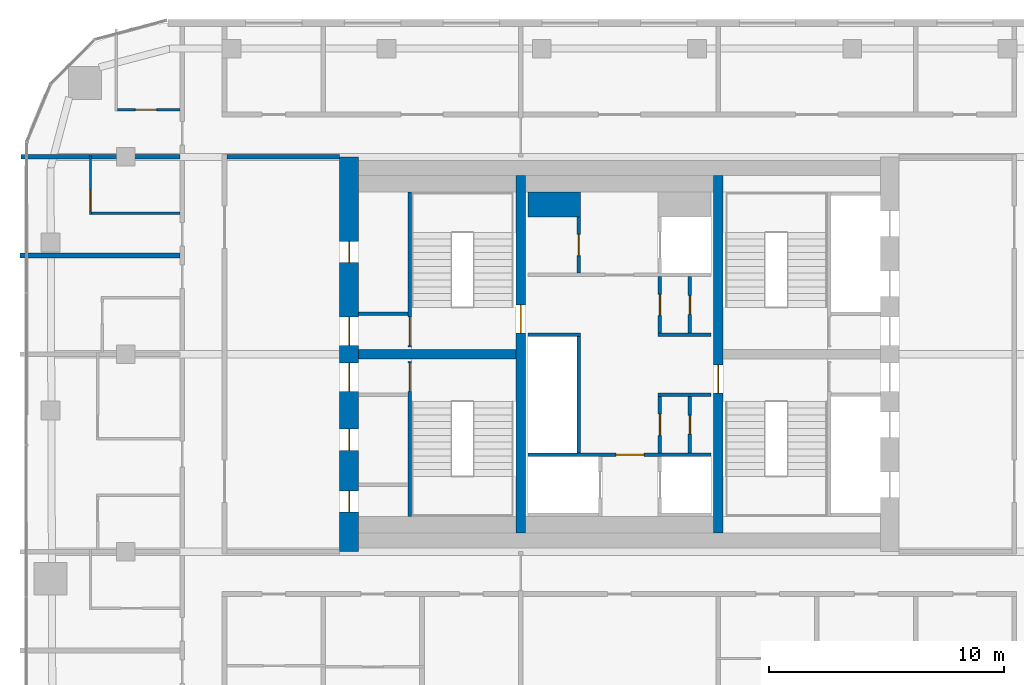
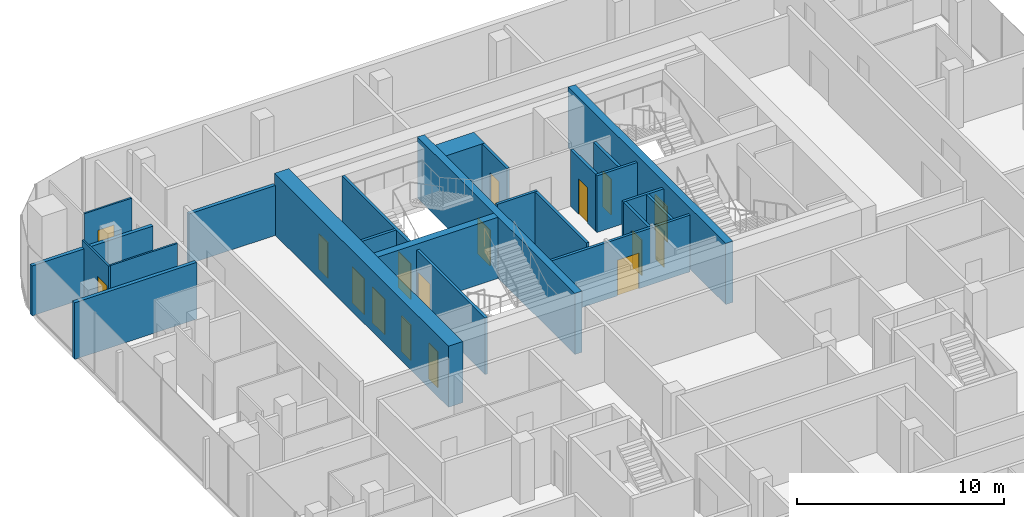
# One storey, part 18 of 22: 24 walls, 17 doors, 17 openings.
"""IFC4 building model written with IfcOpenShell, lengths in metres."""

from ifc_helpers import new_model, si_unit, direction, frame, frame_2d, origin, place, context, subcontext, project, spatial, rectangle, extrude, material, layer, layer_set, type_object, element, fill, save


model = new_model("IFC4")

# Units and contexts
model_context = context("Model", 3, precision=1e-05, world=origin(), true_north=direction((0.0, 1.0)))
body_context = subcontext(model_context, "Body", "Model", "MODEL_VIEW")
ifc_project = project(units=[si_unit("LENGTHUNIT", "METRE"), si_unit("AREAUNIT", "SQUARE_METRE"), si_unit("VOLUMEUNIT", "CUBIC_METRE"), si_unit("PLANEANGLEUNIT", "RADIAN"), si_unit("MASSUNIT", "GRAM", prefix="KILO")], contexts=[model_context])

# Site, building, storey
site_placement = place(None, origin())
site = spatial("IfcSite", under=ifc_project, at=site_placement, CompositionType="ELEMENT")
building_placement = place(site_placement, origin())
building = spatial("IfcBuilding", under=site, at=building_placement, Name="Marenta Gate Hotel Tower", CompositionType="ELEMENT")
storey_placement = place(building_placement, frame((0.0, 0.0, 223.699951171875)))
storey = spatial("IfcBuildingStorey", under=building, at=storey_placement, Name="L52", CompositionType="ELEMENT", Elevation=223.699951171875)

# Wall
ifc_material_1 = material(Name="Concrete blockwork", Category="masonry")
ifc_layer_1 = layer(ifc_material_1, 0.199951171875)
ifc_layer_set_1 = layer_set([ifc_layer_1], Name="Concrete blockwork")
wall_type_1 = type_object("IfcWallType", Name="Core boundary wall 200 REI 180", PredefinedType="PARTITIONING", material=ifc_layer_set_1)
wall_1_placement = place(storey_placement, frame((-16.699951171875, 16.800048828125, 0.0), z_axis=(0.0, 0.0, 1.0), x_axis=(1.0, 0.0, 0.0)))
element("IfcWall", 1, at=wall_1_placement, inside=storey, type_object=wall_type_1, Name="L52-CP-EW-WN", PredefinedType="PARTITIONING", context=body_context, shape_type="SweptSolid", body=[
    extrude(rectangle(XDim=4.800048828125, YDim=0.199951171875, at=frame_2d((2.39990234375, 0.0))), origin(), (0.0, 0.0, 1.0), 2.93994140625),
])

# Wall, opening, door
ifc_material_2 = material(Name="Concrete blockwork", Category="masonry")
ifc_layer_2 = layer(ifc_material_2, 0.14990234375)
ifc_layer_set_2 = layer_set([ifc_layer_2], Name="Concrete blockwork")
wall_type_2 = type_object("IfcWallType", Name="Core lobby partition 150 REI 180", PredefinedType="PARTITIONING", material=ifc_layer_set_2)
wall_2_placement = place(storey_placement, frame((-3.89990234375, 4.125, 0.0), z_axis=(0.0, 0.0, 1.0), x_axis=(1.0, 0.0, 0.0)))
wall_2 = element("IfcWall", 2, at=wall_2_placement, inside=storey, type_object=wall_type_2, Name="L52-CP-CW-S", PredefinedType="PARTITIONING", context=body_context, shape_type="SweptSolid", body=[
    extrude(rectangle(XDim=7.7998046875, YDim=0.14990234375, at=frame_2d((3.89990234375, 0.0))), origin(), (0.0, 0.0, 1.0), 3.340087890625),
])
opening_1_placement = place(wall_2_placement, frame((3.75, 0.0, 0.0)))
opening_1 = element("IfcOpeningElement", 3, at=opening_1_placement, cuts=wall_2, Name="Opening FD-FFS", PredefinedType="OPENING", context=body_context, shape_type="SweptSolid", body=[
    extrude(rectangle(XDim=1.199951171875, YDim=2.10009765625, at=frame_2d((0.60009765625, 1.050048828125))), frame((0.0, 0.074951171875, 0.0), z_axis=(0.0, -1.0, 0.0), x_axis=(1.0, 0.0, 0.0)), (0.0, 0.0, 1.0), 0.14990234375),
])
ifc_material_3 = material(Name="Steel", Category="steel")
door_type_1 = type_object("IfcDoorType", Name="Core lobby door 1200x2100 FD60", OperationType="SINGLE_SWING_LEFT", PredefinedType="DOOR", material=ifc_material_3)
door_1_placement = place(opening_1_placement, origin())
door_1 = element("IfcDoor", 4, at=door_1_placement, inside=storey, type_object=door_type_1, Name="FD-FFS", OperationType="SINGLE_SWING_LEFT", OverallHeight=2.10009765625, OverallWidth=1.199951171875, PredefinedType="DOOR", context=body_context, shape_type="SweptSolid", body=[
    extrude(rectangle(XDim=1.199951171875, YDim=2.10009765625, at=frame_2d((0.60009765625, 1.050048828125))), frame((0.0, 0.02490234375, 0.0), z_axis=(0.0, -1.0, 0.0), x_axis=(1.0, 0.0, 0.0)), (0.0, 0.0, 1.0), 0.050048828125),
])
fill(opening_1, door_1)

# Walls
ifc_material_4 = material(Name="Concrete blockwork", Category="masonry")
ifc_layer_3 = layer(ifc_material_4, 1.050048828125)
ifc_layer_set_3 = layer_set([ifc_layer_3], Name="Concrete blockwork")
wall_type_3 = type_object("IfcWallType", Name="Core room partition 1050 REI 180", PredefinedType="PARTITIONING", material=ifc_layer_set_3)
wall_3_placement = place(storey_placement, frame((-3.89990234375, 14.77490234375, 0.0), z_axis=(0.0, 0.0, 1.0), x_axis=(1.0, 0.0, 0.0)))
element("IfcWall", 5, at=wall_3_placement, inside=storey, type_object=wall_type_3, Name="L52-CP-CW-W-riser-N", PredefinedType="PARTITIONING", context=body_context, shape_type="SweptSolid", body=[
    extrude(rectangle(XDim=2.25, YDim=1.050048828125, at=frame_2d((1.125, 0.0))), origin(), (0.0, 0.0, 1.0), 3.340087890625),
])
ifc_material_5 = material(Name="Concrete blockwork", Category="masonry")
ifc_layer_4 = layer(ifc_material_5, 0.14990234375)
ifc_layer_set_4 = layer_set([ifc_layer_4], Name="Concrete blockwork")
wall_type_4 = type_object("IfcWallType", Name="Core room partition 150 REI 180", PredefinedType="PARTITIONING", material=ifc_layer_set_4)
wall_4_placement = place(storey_placement, frame((-11.10009765625, 10.125, 0.0), z_axis=(0.0, 0.0, 1.0), x_axis=(1.0, 0.0, 0.0)))
element("IfcWall", 6, at=wall_4_placement, inside=storey, type_object=wall_type_4, Name="L52-CP-SW-WN-2", PredefinedType="PARTITIONING", context=body_context, shape_type="SweptSolid", body=[
    extrude(rectangle(XDim=2.10009765625, YDim=0.14990234375, at=frame_2d((1.050048828125, 0.0))), origin(), (0.0, 0.0, 1.0), 3.340087890625),
])

# Wall, opening, door
wall_5_placement = place(storey_placement, frame((-1.72509765625, 11.85009765625, 0.0), z_axis=(0.0, 0.0, 1.0), x_axis=(0.0, 1.0, 0.0)))
wall_5 = element("IfcWall", 7, at=wall_5_placement, inside=storey, type_object=wall_type_4, Name="L52-CP-CW-W-riser-front", PredefinedType="PARTITIONING", context=body_context, shape_type="SweptSolid", body=[
    extrude(rectangle(XDim=2.39990234375, YDim=0.14990234375, at=frame_2d((1.199951171875, 0.0))), origin(), (0.0, 0.0, 1.0), 3.340087890625),
])
opening_2_placement = place(wall_5_placement, frame((0.75, 0.0, 0.0)))
opening_2 = element("IfcOpeningElement", 8, at=opening_2_placement, cuts=wall_5, Name="Opening RD-CRISER", PredefinedType="OPENING", context=body_context, shape_type="SweptSolid", body=[
    extrude(rectangle(XDim=0.89990234375, YDim=2.10009765625, at=frame_2d((0.449951171875, 1.050048828125))), frame((0.0, 0.074951171875, 0.0), z_axis=(0.0, -1.0, 0.0), x_axis=(1.0, 0.0, 0.0)), (0.0, 0.0, 1.0), 0.14990234375),
])
ifc_material_6 = material(Name="Steel", Category="steel")
door_type_2 = type_object("IfcDoorType", Name="Core riser door 900x2100 FD60", OperationType="SINGLE_SWING_LEFT", PredefinedType="DOOR", material=ifc_material_6)
door_2_placement = place(opening_2_placement, origin())
door_2 = element("IfcDoor", 9, at=door_2_placement, inside=storey, type_object=door_type_2, Name="RD-CRISER", OperationType="SINGLE_SWING_LEFT", OverallHeight=2.10009765625, OverallWidth=0.89990234375, PredefinedType="DOOR", context=body_context, shape_type="SweptSolid", body=[
    extrude(rectangle(XDim=0.89990234375, YDim=2.10009765625, at=frame_2d((0.449951171875, 1.050048828125))), frame((0.0, 0.02490234375, 0.0), z_axis=(0.0, -1.0, 0.0), x_axis=(1.0, 0.0, 0.0)), (0.0, 0.0, 1.0), 0.050048828125),
])
fill(opening_2, door_2)

# Walls
for number, where, z_axis, x_axis, name in (
    (10, (1.64990234375, 6.675048828125, 0.0), (0.0, 0.0, 1.0), (1.0, 0.0, 0.0), "L52-CP-CE-sep1"),
    (11, (1.64990234375, 9.22509765625, 0.0), (0.0, 0.0, 1.0), (1.0, 0.0, 0.0), "L52-CP-CE-sep2"),
):
    element("IfcWall", number, at=place(storey_placement, frame(where, z_axis=z_axis, x_axis=x_axis)), inside=storey, type_object=wall_type_4, Name=name, PredefinedType="PARTITIONING", context=body_context, shape_type="SweptSolid", body=[
        extrude(rectangle(XDim=2.25, YDim=0.14990234375, at=frame_2d((1.125, 0.0))), origin(), (0.0, 0.0, 1.0), 3.340087890625),
    ])

# Wall, opening, door
wall_6_placement = place(storey_placement, frame((1.72509765625, 4.199951171875, 0.0), z_axis=(0.0, 0.0, 1.0), x_axis=(0.0, 1.0, 0.0)))
wall_6 = element("IfcWall", 12, at=wall_6_placement, inside=storey, type_object=wall_type_4, Name="L52-CP-CE-front-1", PredefinedType="PARTITIONING", context=body_context, shape_type="SweptSolid", body=[
    extrude(rectangle(XDim=2.400146484375, YDim=0.14990234375, at=frame_2d((1.2001953125, 0.0))), origin(), (0.0, 0.0, 1.0), 3.340087890625),
])
opening_3_placement = place(wall_6_placement, frame((0.75, 0.0, 0.0)))
opening_3 = element("IfcOpeningElement", 13, at=opening_3_placement, cuts=wall_6, Name="Opening RD-CE-1a", PredefinedType="OPENING", context=body_context, shape_type="SweptSolid", body=[
    extrude(rectangle(XDim=0.89990234375, YDim=2.10009765625, at=frame_2d((0.449951171875, 1.050048828125))), frame((0.0, 0.074951171875, 0.0), z_axis=(0.0, -1.0, 0.0), x_axis=(1.0, 0.0, 0.0)), (0.0, 0.0, 1.0), 0.14990234375),
])
ifc_material_7 = material(Name="Steel", Category="steel")
door_type_3 = type_object("IfcDoorType", Name="Core service room door 900x2100 FD30S", OperationType="SINGLE_SWING_LEFT", PredefinedType="DOOR", material=ifc_material_7)
door_3_placement = place(opening_3_placement, origin())
door_3 = element("IfcDoor", 14, at=door_3_placement, inside=storey, type_object=door_type_3, Name="RD-CE-1a", OperationType="SINGLE_SWING_LEFT", OverallHeight=2.10009765625, OverallWidth=0.89990234375, PredefinedType="DOOR", context=body_context, shape_type="SweptSolid", body=[
    extrude(rectangle(XDim=0.89990234375, YDim=2.10009765625, at=frame_2d((0.449951171875, 1.050048828125))), frame((0.0, 0.02490234375, 0.0), z_axis=(0.0, -1.0, 0.0), x_axis=(1.0, 0.0, 0.0)), (0.0, 0.0, 1.0), 0.050048828125),
])
fill(opening_3, door_3)

wall_7_placement = place(storey_placement, frame((1.72509765625, 9.300048828125, 0.0), z_axis=(0.0, 0.0, 1.0), x_axis=(0.0, 1.0, 0.0)))
wall_7 = element("IfcWall", 15, at=wall_7_placement, inside=storey, type_object=wall_type_4, Name="L52-CP-CE-front-2", PredefinedType="PARTITIONING", context=body_context, shape_type="SweptSolid", body=[
    extrude(rectangle(XDim=2.39990234375, YDim=0.14990234375, at=frame_2d((1.199951171875, 0.0))), origin(), (0.0, 0.0, 1.0), 3.340087890625),
])
opening_4_placement = place(wall_7_placement, frame((0.75, 0.0, 0.0)))
opening_4 = element("IfcOpeningElement", 16, at=opening_4_placement, cuts=wall_7, Name="Opening RD-CE-2a", PredefinedType="OPENING", context=body_context, shape_type="SweptSolid", body=[
    extrude(rectangle(XDim=0.89990234375, YDim=2.10009765625, at=frame_2d((0.449951171875, 1.050048828125))), frame((0.0, 0.074951171875, 0.0), z_axis=(0.0, -1.0, 0.0), x_axis=(1.0, 0.0, 0.0)), (0.0, 0.0, 1.0), 0.14990234375),
])
door_4_placement = place(opening_4_placement, origin())
door_4 = element("IfcDoor", 17, at=door_4_placement, inside=storey, type_object=door_type_3, Name="RD-CE-2a", OperationType="SINGLE_SWING_LEFT", OverallHeight=2.10009765625, OverallWidth=0.89990234375, PredefinedType="DOOR", context=body_context, shape_type="SweptSolid", body=[
    extrude(rectangle(XDim=0.89990234375, YDim=2.10009765625, at=frame_2d((0.449951171875, 1.050048828125))), frame((0.0, 0.02490234375, 0.0), z_axis=(0.0, -1.0, 0.0), x_axis=(1.0, 0.0, 0.0)), (0.0, 0.0, 1.0), 0.050048828125),
])
fill(opening_4, door_4)

wall_8_placement = place(storey_placement, frame((3.0, 4.199951171875, 0.0), z_axis=(0.0, 0.0, 1.0), x_axis=(0.0, 1.0, 0.0)))
wall_8 = element("IfcWall", 18, at=wall_8_placement, inside=storey, type_object=wall_type_4, Name="L52-CP-CE-RW-1", PredefinedType="PARTITIONING", context=body_context, shape_type="SweptSolid", body=[
    extrude(rectangle(XDim=2.400146484375, YDim=0.14990234375, at=frame_2d((1.2001953125, 0.0))), origin(), (0.0, 0.0, 1.0), 3.340087890625),
])
opening_5_placement = place(wall_8_placement, frame((0.800048828125, 0.0, 0.0)))
opening_5 = element("IfcOpeningElement", 19, at=opening_5_placement, cuts=wall_8, Name="Opening RD-CE-1b-A", PredefinedType="OPENING", context=body_context, shape_type="SweptSolid", body=[
    extrude(rectangle(XDim=0.800048828125, YDim=2.10009765625, at=frame_2d((0.39990234375, 1.050048828125))), frame((0.0, 0.074951171875, 0.0), z_axis=(0.0, -1.0, 0.0), x_axis=(1.0, 0.0, 0.0)), (0.0, 0.0, 1.0), 0.14990234375),
])
ifc_material_8 = material(Name="Steel", Category="steel")
door_type_4 = type_object("IfcDoorType", Name="Core riser door 800x2100 FD60", OperationType="SINGLE_SWING_LEFT", PredefinedType="DOOR", material=ifc_material_8)
door_5_placement = place(opening_5_placement, origin())
door_5 = element("IfcDoor", 20, at=door_5_placement, inside=storey, type_object=door_type_4, Name="RD-CE-1b-A", OperationType="SINGLE_SWING_LEFT", OverallHeight=2.10009765625, OverallWidth=0.800048828125, PredefinedType="DOOR", context=body_context, shape_type="SweptSolid", body=[
    extrude(rectangle(XDim=0.800048828125, YDim=2.10009765625, at=frame_2d((0.39990234375, 1.050048828125))), frame((0.0, 0.02490234375, 0.0), z_axis=(0.0, -1.0, 0.0), x_axis=(1.0, 0.0, 0.0)), (0.0, 0.0, 1.0), 0.050048828125),
])
fill(opening_5, door_5)

wall_9_placement = place(storey_placement, frame((3.0, 9.300048828125, 0.0), z_axis=(0.0, 0.0, 1.0), x_axis=(0.0, 1.0, 0.0)))
wall_9 = element("IfcWall", 21, at=wall_9_placement, inside=storey, type_object=wall_type_4, Name="L52-CP-CE-RW-2", PredefinedType="PARTITIONING", context=body_context, shape_type="SweptSolid", body=[
    extrude(rectangle(XDim=2.39990234375, YDim=0.14990234375, at=frame_2d((1.199951171875, 0.0))), origin(), (0.0, 0.0, 1.0), 3.340087890625),
])
opening_6_placement = place(wall_9_placement, frame((0.800048828125, 0.0, 0.0)))
opening_6 = element("IfcOpeningElement", 22, at=opening_6_placement, cuts=wall_9, Name="Opening RD-CE-2b-A", PredefinedType="OPENING", context=body_context, shape_type="SweptSolid", body=[
    extrude(rectangle(XDim=0.800048828125, YDim=2.10009765625, at=frame_2d((0.39990234375, 1.050048828125))), frame((0.0, 0.074951171875, 0.0), z_axis=(0.0, -1.0, 0.0), x_axis=(1.0, 0.0, 0.0)), (0.0, 0.0, 1.0), 0.14990234375),
])
door_6_placement = place(opening_6_placement, origin())
door_6 = element("IfcDoor", 23, at=door_6_placement, inside=storey, type_object=door_type_4, Name="RD-CE-2b-A", OperationType="SINGLE_SWING_LEFT", OverallHeight=2.10009765625, OverallWidth=0.800048828125, PredefinedType="DOOR", context=body_context, shape_type="SweptSolid", body=[
    extrude(rectangle(XDim=0.800048828125, YDim=2.10009765625, at=frame_2d((0.39990234375, 1.050048828125))), frame((0.0, 0.02490234375, 0.0), z_axis=(0.0, -1.0, 0.0), x_axis=(1.0, 0.0, 0.0)), (0.0, 0.0, 1.0), 0.050048828125),
])
fill(opening_6, door_6)

# Walls
ifc_material_9 = material(Name="Concrete C40", Category="concrete")
ifc_layer_5 = layer(ifc_material_9, 0.14990234375)
ifc_layer_set_5 = layer_set([ifc_layer_5], Name="Concrete C40")
wall_type_5 = type_object("IfcWallType", Name="Core shaft wall 150 REI 180", PredefinedType="SHEAR", material=ifc_layer_set_5)
wall_10_placement = place(storey_placement, frame((-1.72509765625, 4.199951171875, 0.0), z_axis=(0.0, 0.0, 1.0), x_axis=(0.0, 1.0, 0.0)))
element("IfcWall", 24, at=wall_10_placement, inside=storey, type_object=wall_type_5, Name="L52-SHF-CW-W-front", PredefinedType="SHEAR", context=body_context, shape_type="SweptSolid", body=[
    extrude(rectangle(XDim=4.949951171875, YDim=0.14990234375, at=frame_2d((2.47509765625, 0.0))), origin(), (0.0, 0.0, 1.0), 3.60009765625),
])
wall_11_placement = place(storey_placement, frame((-3.89990234375, 9.22509765625, 0.0), z_axis=(0.0, 0.0, 1.0), x_axis=(1.0, 0.0, 0.0)))
element("IfcWall", 25, at=wall_11_placement, inside=storey, type_object=wall_type_5, Name="L52-SHF-CW-W-sep", PredefinedType="SHEAR", context=body_context, shape_type="SweptSolid", body=[
    extrude(rectangle(XDim=2.25, YDim=0.14990234375, at=frame_2d((1.125, 0.0))), origin(), (0.0, 0.0, 1.0), 3.60009765625),
])

# Wall, opening, door
ifc_material_10 = material(Name="Concrete C40", Category="concrete")
ifc_layer_6 = layer(ifc_material_10, 0.14990234375)
ifc_layer_set_6 = layer_set([ifc_layer_6], Name="Concrete C40")
wall_type_6 = type_object("IfcWallType", Name="Core stair enclosure wall 150 REI 180", PredefinedType="SHEAR", material=ifc_layer_set_6)
wall_12_placement = place(storey_placement, frame((-8.925048828125, 1.5, 0.0), z_axis=(0.0, 0.0, 1.0), x_axis=(0.0, 1.0, 0.0)))
wall_12 = element("IfcWall", 26, at=wall_12_placement, inside=storey, type_object=wall_type_6, Name="L52-SHF-SW-WS-3", PredefinedType="SHEAR", context=body_context, shape_type="SweptSolid", body=[
    extrude(rectangle(XDim=6.60009765625, YDim=0.14990234375, at=frame_2d((3.300048828125, 0.0))), origin(), (0.0, 0.0, 1.0), 3.340087890625),
])
opening_7_placement = place(wall_12_placement, frame((5.324951171875, 0.0, 0.0)))
opening_7 = element("IfcOpeningElement", 27, at=opening_7_placement, cuts=wall_12, Name="Opening SD-WS", PredefinedType="OPENING", context=body_context, shape_type="SweptSolid", body=[
    extrude(rectangle(XDim=1.199951171875, YDim=2.10009765625, at=frame_2d((0.60009765625, 1.050048828125))), frame((0.0, 0.074951171875, 0.0), z_axis=(0.0, -1.0, 0.0), x_axis=(1.0, 0.0, 0.0)), (0.0, 0.0, 1.0), 0.14990234375),
])
ifc_material_11 = material(Name="Steel", Category="steel")
door_type_5 = type_object("IfcDoorType", Name="Core stair door 1200x2100 FD60", OperationType="SINGLE_SWING_LEFT", PredefinedType="DOOR", material=ifc_material_11)
door_7_placement = place(opening_7_placement, origin())
door_7 = element("IfcDoor", 28, at=door_7_placement, inside=storey, type_object=door_type_5, Name="SD-WS", OperationType="SINGLE_SWING_LEFT", OverallHeight=2.10009765625, OverallWidth=1.199951171875, PredefinedType="DOOR", context=body_context, shape_type="SweptSolid", body=[
    extrude(rectangle(XDim=1.199951171875, YDim=2.10009765625, at=frame_2d((0.60009765625, 1.050048828125))), frame((0.0, 0.02490234375, 0.0), z_axis=(0.0, -1.0, 0.0), x_axis=(1.0, 0.0, 0.0)), (0.0, 0.0, 1.0), 0.050048828125),
])
fill(opening_7, door_7)

wall_13_placement = place(storey_placement, frame((-8.925048828125, 8.699951171875, 0.0), z_axis=(0.0, 0.0, 1.0), x_axis=(0.0, 1.0, 0.0)))
wall_13 = element("IfcWall", 29, at=wall_13_placement, inside=storey, type_object=wall_type_6, Name="L52-SHF-SW-WN-3", PredefinedType="SHEAR", context=body_context, shape_type="SweptSolid", body=[
    extrude(rectangle(XDim=6.60009765625, YDim=0.14990234375, at=frame_2d((3.300048828125, 0.0))), origin(), (0.0, 0.0, 1.0), 3.340087890625),
])
opening_8_placement = place(wall_13_placement, frame((0.074951171875, 0.0, 0.0)))
opening_8 = element("IfcOpeningElement", 30, at=opening_8_placement, cuts=wall_13, Name="Opening SD-WN", PredefinedType="OPENING", context=body_context, shape_type="SweptSolid", body=[
    extrude(rectangle(XDim=1.199951171875, YDim=2.10009765625, at=frame_2d((0.60009765625, 1.050048828125))), frame((0.0, 0.074951171875, 0.0), z_axis=(0.0, -1.0, 0.0), x_axis=(1.0, 0.0, 0.0)), (0.0, 0.0, 1.0), 0.14990234375),
])
door_8_placement = place(opening_8_placement, origin())
door_8 = element("IfcDoor", 31, at=door_8_placement, inside=storey, type_object=door_type_5, Name="SD-WN", OperationType="SINGLE_SWING_LEFT", OverallHeight=2.10009765625, OverallWidth=1.199951171875, PredefinedType="DOOR", context=body_context, shape_type="SweptSolid", body=[
    extrude(rectangle(XDim=1.199951171875, YDim=2.10009765625, at=frame_2d((0.60009765625, 1.050048828125))), frame((0.0, 0.02490234375, 0.0), z_axis=(0.0, -1.0, 0.0), x_axis=(1.0, 0.0, 0.0)), (0.0, 0.0, 1.0), 0.050048828125),
])
fill(opening_8, door_8)

# Wall, openings, doors
ifc_material_12 = material(Name="Concrete C60", Category="concrete")
ifc_layer_7 = layer(ifc_material_12, 0.800048828125)
ifc_layer_set_7 = layer_set([ifc_layer_7], Name="Concrete C60")
wall_type_7 = type_object("IfcWallType", Name="Core wall 800 C60", PredefinedType="SHEAR", material=ifc_layer_set_7)
wall_14_placement = place(storey_placement, frame((-11.5, 0.0, 0.0), z_axis=(0.0, 0.0, 1.0), x_axis=(0.0, 1.0, 0.0)))
wall_14 = element("IfcWall", 32, at=wall_14_placement, inside=storey, type_object=wall_type_7, Name="L52-CORE-W", PredefinedType="SHEAR", context=body_context, shape_type="SweptSolid", body=[
    extrude(rectangle(XDim=16.800048828125, YDim=0.800048828125, at=frame_2d((8.39990234375, 0.0))), origin(), (0.0, 0.0, 1.0), 3.60009765625),
])
opening_9_placement = place(wall_14_placement, frame((1.6875, 0.0, 0.0)))
opening_9 = element("IfcOpeningElement", 33, at=opening_9_placement, cuts=wall_14, Name="Opening RD-WS-1", PredefinedType="OPENING", context=body_context, shape_type="SweptSolid", body=[
    extrude(rectangle(XDim=0.89990234375, YDim=2.10009765625, at=frame_2d((0.449951171875, 1.050048828125))), frame((0.0, 0.39990234375, 0.0), z_axis=(0.0, -1.0, 0.0), x_axis=(1.0, 0.0, 0.0)), (0.0, 0.0, 1.0), 0.800048828125),
])
opening_10_placement = place(wall_14_placement, frame((4.3125, 0.0, 0.0)))
opening_10 = element("IfcOpeningElement", 34, at=opening_10_placement, cuts=wall_14, Name="Opening RD-WS-2", PredefinedType="OPENING", context=body_context, shape_type="SweptSolid", body=[
    extrude(rectangle(XDim=0.89990234375, YDim=2.10009765625, at=frame_2d((0.449951171875, 1.050048828125))), frame((0.0, 0.39990234375, 0.0), z_axis=(0.0, -1.0, 0.0), x_axis=(1.0, 0.0, 0.0)), (0.0, 0.0, 1.0), 0.800048828125),
])
opening_11_placement = place(wall_14_placement, frame((6.824951171875, 0.0, 0.0)))
opening_11 = element("IfcOpeningElement", 35, at=opening_11_placement, cuts=wall_14, Name="Opening PD-WS", PredefinedType="OPENING", context=body_context, shape_type="SweptSolid", body=[
    extrude(rectangle(XDim=1.199951171875, YDim=2.10009765625, at=frame_2d((0.60009765625, 1.050048828125))), frame((0.0, 0.39990234375, 0.0), z_axis=(0.0, -1.0, 0.0), x_axis=(1.0, 0.0, 0.0)), (0.0, 0.0, 1.0), 0.800048828125),
])
opening_12_placement = place(wall_14_placement, frame((12.300048828125, 0.0, 0.0)))
opening_12 = element("IfcOpeningElement", 36, at=opening_12_placement, cuts=wall_14, Name="Opening RD-WN-1", PredefinedType="OPENING", context=body_context, shape_type="SweptSolid", body=[
    extrude(rectangle(XDim=0.89990234375, YDim=2.10009765625, at=frame_2d((0.449951171875, 1.050048828125))), frame((0.0, 0.39990234375, 0.0), z_axis=(0.0, -1.0, 0.0), x_axis=(1.0, 0.0, 0.0)), (0.0, 0.0, 1.0), 0.800048828125),
])
opening_13_placement = place(wall_14_placement, frame((8.77490234375, 0.0, 0.0)))
opening_13 = element("IfcOpeningElement", 37, at=opening_13_placement, cuts=wall_14, Name="Opening PD-WN", PredefinedType="OPENING", context=body_context, shape_type="SweptSolid", body=[
    extrude(rectangle(XDim=1.199951171875, YDim=2.10009765625, at=frame_2d((0.60009765625, 1.050048828125))), frame((0.0, 0.39990234375, 0.0), z_axis=(0.0, -1.0, 0.0), x_axis=(1.0, 0.0, 0.0)), (0.0, 0.0, 1.0), 0.800048828125),
])
door_9_placement = place(opening_11_placement, origin())
door_9 = element("IfcDoor", 38, at=door_9_placement, inside=storey, type_object=door_type_1, Name="PD-WS", OperationType="SINGLE_SWING_LEFT", OverallHeight=2.10009765625, OverallWidth=1.199951171875, PredefinedType="DOOR", context=body_context, shape_type="SweptSolid", body=[
    extrude(rectangle(XDim=1.199951171875, YDim=2.10009765625, at=frame_2d((0.60009765625, 1.050048828125))), frame((0.0, 0.02490234375, 0.0), z_axis=(0.0, -1.0, 0.0), x_axis=(1.0, 0.0, 0.0)), (0.0, 0.0, 1.0), 0.050048828125),
])
fill(opening_11, door_9)
door_10_placement = place(opening_13_placement, origin())
door_10 = element("IfcDoor", 39, at=door_10_placement, inside=storey, type_object=door_type_1, Name="PD-WN", OperationType="SINGLE_SWING_LEFT", OverallHeight=2.10009765625, OverallWidth=1.199951171875, PredefinedType="DOOR", context=body_context, shape_type="SweptSolid", body=[
    extrude(rectangle(XDim=1.199951171875, YDim=2.10009765625, at=frame_2d((0.60009765625, 1.050048828125))), frame((0.0, 0.02490234375, 0.0), z_axis=(0.0, -1.0, 0.0), x_axis=(1.0, 0.0, 0.0)), (0.0, 0.0, 1.0), 0.050048828125),
])
fill(opening_13, door_10)
door_11_placement = place(opening_9_placement, origin())
door_11 = element("IfcDoor", 40, at=door_11_placement, inside=storey, type_object=door_type_3, Name="RD-WS-1", OperationType="SINGLE_SWING_LEFT", OverallHeight=2.10009765625, OverallWidth=0.89990234375, PredefinedType="DOOR", context=body_context, shape_type="SweptSolid", body=[
    extrude(rectangle(XDim=0.89990234375, YDim=2.10009765625, at=frame_2d((0.449951171875, 1.050048828125))), frame((0.0, 0.02490234375, 0.0), z_axis=(0.0, -1.0, 0.0), x_axis=(1.0, 0.0, 0.0)), (0.0, 0.0, 1.0), 0.050048828125),
])
fill(opening_9, door_11)
door_12_placement = place(opening_10_placement, origin())
door_12 = element("IfcDoor", 41, at=door_12_placement, inside=storey, type_object=door_type_3, Name="RD-WS-2", OperationType="SINGLE_SWING_LEFT", OverallHeight=2.10009765625, OverallWidth=0.89990234375, PredefinedType="DOOR", context=body_context, shape_type="SweptSolid", body=[
    extrude(rectangle(XDim=0.89990234375, YDim=2.10009765625, at=frame_2d((0.449951171875, 1.050048828125))), frame((0.0, 0.02490234375, 0.0), z_axis=(0.0, -1.0, 0.0), x_axis=(1.0, 0.0, 0.0)), (0.0, 0.0, 1.0), 0.050048828125),
])
fill(opening_10, door_12)
door_13_placement = place(opening_12_placement, origin())
door_13 = element("IfcDoor", 42, at=door_13_placement, inside=storey, type_object=door_type_3, Name="RD-WN-1", OperationType="SINGLE_SWING_LEFT", OverallHeight=2.10009765625, OverallWidth=0.89990234375, PredefinedType="DOOR", context=body_context, shape_type="SweptSolid", body=[
    extrude(rectangle(XDim=0.89990234375, YDim=2.10009765625, at=frame_2d((0.449951171875, 1.050048828125))), frame((0.0, 0.02490234375, 0.0), z_axis=(0.0, -1.0, 0.0), x_axis=(1.0, 0.0, 0.0)), (0.0, 0.0, 1.0), 0.050048828125),
])
fill(opening_12, door_13)

# Wall, opening, door
ifc_material_13 = material(Name="Concrete C60", Category="concrete")
ifc_layer_8 = layer(ifc_material_13, 0.39990234375)
ifc_layer_set_8 = layer_set([ifc_layer_8], Name="Concrete C60")
wall_type_8 = type_object("IfcWallType", Name="Core web 400 C60", PredefinedType="SHEAR", material=ifc_layer_set_8)
wall_15_placement = place(storey_placement, frame((-4.199951171875, 0.800048828125, 0.0), z_axis=(0.0, 0.0, 1.0), x_axis=(0.0, 1.0, 0.0)))
wall_15 = element("IfcWall", 43, at=wall_15_placement, inside=storey, type_object=wall_type_8, Name="L52-CORE-W1", PredefinedType="SHEAR", context=body_context, shape_type="SweptSolid", body=[
    extrude(rectangle(XDim=15.199951171875, YDim=0.39990234375, at=frame_2d((7.60009765625, 0.0))), origin(), (0.0, 0.0, 1.0), 3.60009765625),
])
opening_14_placement = place(wall_15_placement, frame((8.5, 0.0, 0.0)))
opening_14 = element("IfcOpeningElement", 44, at=opening_14_placement, cuts=wall_15, Name="Opening WD-W", PredefinedType="OPENING", context=body_context, shape_type="SweptSolid", body=[
    extrude(rectangle(XDim=1.199951171875, YDim=2.10009765625, at=frame_2d((0.60009765625, 1.050048828125))), frame((0.0, 0.199951171875, 0.0), z_axis=(0.0, -1.0, 0.0), x_axis=(1.0, 0.0, 0.0)), (0.0, 0.0, 1.0), 0.39990234375),
])
door_14_placement = place(opening_14_placement, origin())
door_14 = element("IfcDoor", 45, at=door_14_placement, inside=storey, type_object=door_type_5, Name="WD-W", OperationType="SINGLE_SWING_LEFT", OverallHeight=2.10009765625, OverallWidth=1.199951171875, PredefinedType="DOOR", context=body_context, shape_type="SweptSolid", body=[
    extrude(rectangle(XDim=1.199951171875, YDim=2.10009765625, at=frame_2d((0.60009765625, 1.050048828125))), frame((0.0, 0.02490234375, 0.0), z_axis=(0.0, -1.0, 0.0), x_axis=(1.0, 0.0, 0.0)), (0.0, 0.0, 1.0), 0.050048828125),
])
fill(opening_14, door_14)

wall_16_placement = place(storey_placement, frame((4.199951171875, 0.800048828125, 0.0), z_axis=(0.0, 0.0, 1.0), x_axis=(0.0, 1.0, 0.0)))
wall_16 = element("IfcWall", 46, at=wall_16_placement, inside=storey, type_object=wall_type_8, Name="L52-CORE-W2", PredefinedType="SHEAR", context=body_context, shape_type="SweptSolid", body=[
    extrude(rectangle(XDim=15.199951171875, YDim=0.39990234375, at=frame_2d((7.60009765625, 0.0))), origin(), (0.0, 0.0, 1.0), 3.60009765625),
])
opening_15_placement = place(wall_16_placement, frame((5.949951171875, 0.0, 0.0)))
opening_15 = element("IfcOpeningElement", 47, at=opening_15_placement, cuts=wall_16, Name="Opening WD-E", PredefinedType="OPENING", context=body_context, shape_type="SweptSolid", body=[
    extrude(rectangle(XDim=1.199951171875, YDim=2.10009765625, at=frame_2d((0.60009765625, 1.050048828125))), frame((0.0, 0.199951171875, 0.0), z_axis=(0.0, -1.0, 0.0), x_axis=(1.0, 0.0, 0.0)), (0.0, 0.0, 1.0), 0.39990234375),
])
door_15_placement = place(opening_15_placement, origin())
door_15 = element("IfcDoor", 48, at=door_15_placement, inside=storey, type_object=door_type_5, Name="WD-E", OperationType="SINGLE_SWING_LEFT", OverallHeight=2.10009765625, OverallWidth=1.199951171875, PredefinedType="DOOR", context=body_context, shape_type="SweptSolid", body=[
    extrude(rectangle(XDim=1.199951171875, YDim=2.10009765625, at=frame_2d((0.60009765625, 1.050048828125))), frame((0.0, 0.02490234375, 0.0), z_axis=(0.0, -1.0, 0.0), x_axis=(1.0, 0.0, 0.0)), (0.0, 0.0, 1.0), 0.050048828125),
])
fill(opening_15, door_15)

# Walls
wall_17_placement = place(storey_placement, frame((-11.10009765625, 8.39990234375, 0.0), z_axis=(0.0, 0.0, 1.0), x_axis=(1.0, 0.0, 0.0)))
element("IfcWall", 49, at=wall_17_placement, inside=storey, type_object=wall_type_8, Name="L52-CORE-W3", PredefinedType="SHEAR", context=body_context, shape_type="SweptSolid", body=[
    extrude(rectangle(XDim=6.7001953125, YDim=0.39990234375, at=frame_2d((3.35009765625, 0.0))), origin(), (0.0, 0.0, 1.0), 3.60009765625),
])
ifc_material_14 = material(Name="Gypsum board on steel stud", Category="steel")
ifc_layer_9 = layer(ifc_material_14, 0.10009765625)
ifc_layer_set_9 = layer_set([ifc_layer_9], Name="Gypsum board on steel stud")
wall_type_9 = type_object("IfcWallType", Name="Room partition 100", PredefinedType="PARTITIONING", material=ifc_layer_set_9)
wall_18_placement = place(storey_placement, frame((-22.449951171875, 14.39990234375, 0.0), z_axis=(0.0, 0.0, 1.0), x_axis=(1.0, 0.0, 0.0)))
element("IfcWall", 50, at=wall_18_placement, inside=storey, type_object=wall_type_9, Name="L52-PTN-W101", PredefinedType="PARTITIONING", context=body_context, shape_type="SweptSolid", body=[
    extrude(rectangle(XDim=3.75, YDim=0.10009765625, at=frame_2d((1.875, 0.0))), origin(), (0.0, 0.0, 1.0), 3.340087890625),
])

# Wall, opening, door
wall_19_placement = place(storey_placement, frame((-21.35009765625, 18.800048828125, 0.0), z_axis=(0.0, 0.0, 1.0), x_axis=(1.0, 0.0, 0.0)))
wall_19 = element("IfcWall", 51, at=wall_19_placement, inside=storey, type_object=wall_type_9, Name="L52-PTN-W112", PredefinedType="PARTITIONING", context=body_context, shape_type="SweptSolid", body=[
    extrude(rectangle(XDim=2.650146484375, YDim=0.10009765625, at=frame_2d((1.3251953125, 0.0))), origin(), (0.0, 0.0, 1.0), 3.340087890625),
])
opening_16_placement = place(wall_19_placement, frame((0.760009765625, 0.0, 0.0)))
opening_16 = element("IfcOpeningElement", 52, at=opening_16_placement, cuts=wall_19, Name="Opening G19-70", PredefinedType="OPENING", context=body_context, shape_type="SweptSolid", body=[
    extrude(rectangle(XDim=0.89990234375, YDim=2.10009765625, at=frame_2d((0.449951171875, 1.050048828125))), frame((0.0, 0.050048828125, 0.0), z_axis=(0.0, -1.0, 0.0), x_axis=(1.0, 0.0, 0.0)), (0.0, 0.0, 1.0), 0.10009765625),
])
ifc_material_15 = material(Name="Timber door leaf", Category="wood")
door_type_6 = type_object("IfcDoorType", Name="Guest bathroom door 900x2100", OperationType="NOTDEFINED", PredefinedType="DOOR", material=ifc_material_15)
door_16_placement = place(opening_16_placement, origin())
door_16 = element("IfcDoor", 53, at=door_16_placement, inside=storey, type_object=door_type_6, Name="L52-PD-D070", OperationType="SINGLE_SWING_LEFT", OverallHeight=2.10009765625, OverallWidth=0.89990234375, PredefinedType="DOOR", context=body_context, shape_type="SweptSolid", body=[
    extrude(rectangle(XDim=0.89990234375, YDim=2.10009765625, at=frame_2d((0.449951171875, 1.050048828125))), frame((0.0, 0.02490234375, 0.0), z_axis=(0.0, -1.0, 0.0), x_axis=(1.0, 0.0, 0.0)), (0.0, 0.0, 1.0), 0.050048828125),
])
fill(opening_16, door_16)

wall_20_placement = place(storey_placement, frame((-22.5, 14.35009765625, 0.0), z_axis=(0.0, 0.0, 1.0), x_axis=(0.0, 1.0, 0.0)))
wall_20 = element("IfcWall", 54, at=wall_20_placement, inside=storey, type_object=wall_type_9, Name="L52-PTN-W124", PredefinedType="PARTITIONING", context=body_context, shape_type="SweptSolid", body=[
    extrude(rectangle(XDim=2.5498046875, YDim=0.10009765625, at=frame_2d((1.27490234375, 0.0))), origin(), (0.0, 0.0, 1.0), 3.340087890625),
])
opening_17_placement = place(wall_20_placement, frame((0.14990234375, 0.0, 0.0)))
opening_17 = element("IfcOpeningElement", 55, at=opening_17_placement, cuts=wall_20, Name="Opening G19-68", PredefinedType="OPENING", context=body_context, shape_type="SweptSolid", body=[
    extrude(rectangle(XDim=0.89990234375, YDim=2.10009765625, at=frame_2d((0.449951171875, 1.050048828125))), frame((0.0, 0.050048828125, 0.0), z_axis=(0.0, -1.0, 0.0), x_axis=(1.0, 0.0, 0.0)), (0.0, 0.0, 1.0), 0.10009765625),
])
door_17_placement = place(opening_17_placement, origin())
door_17 = element("IfcDoor", 56, at=door_17_placement, inside=storey, type_object=door_type_6, Name="L52-PD-D068", OperationType="SINGLE_SWING_RIGHT", OverallHeight=2.10009765625, OverallWidth=0.89990234375, PredefinedType="DOOR", context=body_context, shape_type="SweptSolid", body=[
    extrude(rectangle(XDim=0.89990234375, YDim=2.10009765625, at=frame_2d((0.449951171875, 1.050048828125))), frame((0.0, 0.02490234375, 0.0), z_axis=(0.0, -1.0, 0.0), x_axis=(1.0, 0.0, 0.0)), (0.0, 0.0, 1.0), 0.050048828125),
])
fill(opening_17, door_17)

# Walls
ifc_material_16 = material(Name="Gypsum board on steel stud", Category="steel")
ifc_layer_10 = layer(ifc_material_16, 0.199951171875)
ifc_layer_set_10 = layer_set([ifc_layer_10], Name="Gypsum board on steel stud")
wall_type_10 = type_object("IfcWallType", Name="Room party wall 200 EI 60", PredefinedType="PARTITIONING", material=ifc_layer_set_10)
wall_21_placement = place(storey_placement, frame((-25.5, 12.60009765625, 0.0), z_axis=(0.0, 0.0, 1.0), x_axis=(1.0, 0.0, 0.0)))
element("IfcWall", 57, at=wall_21_placement, inside=storey, type_object=wall_type_10, Name="L52-PTN-W100", PredefinedType="PARTITIONING", context=body_context, shape_type="SweptSolid", body=[
    extrude(rectangle(XDim=6.800048828125, YDim=0.199951171875, at=frame_2d((3.39990234375, 0.0))), origin(), (0.0, 0.0, 1.0), 3.340087890625),
])
wall_22_placement = place(storey_placement, frame((-25.447021484375, 16.800048828125, 0.0), z_axis=(0.0, 0.0, 1.0), x_axis=(1.0, 0.0, 0.0)))
element("IfcWall", 58, at=wall_22_placement, inside=storey, type_object=wall_type_10, Name="L52-PTN-W108", PredefinedType="PARTITIONING", context=body_context, shape_type="SweptSolid", body=[
    extrude(rectangle(XDim=6.7470703125, YDim=0.199951171875, at=frame_2d((3.37353515625, 0.0))), origin(), (0.0, 0.0, 1.0), 2.93994140625),
])

save(model, "model.ifc")
